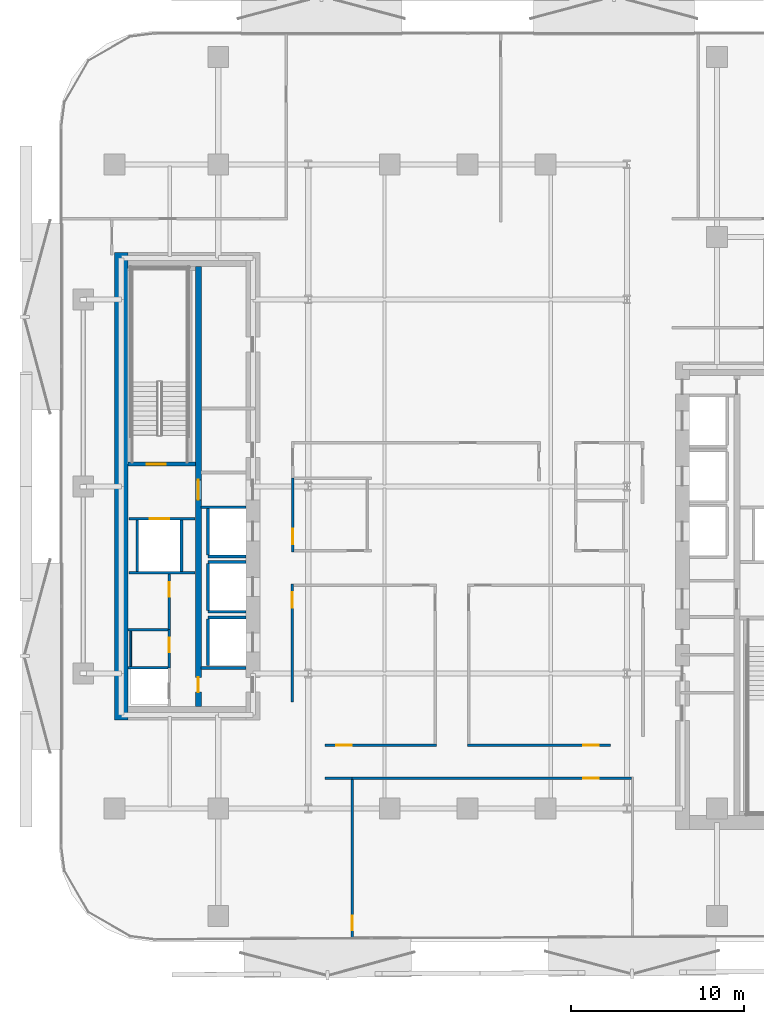
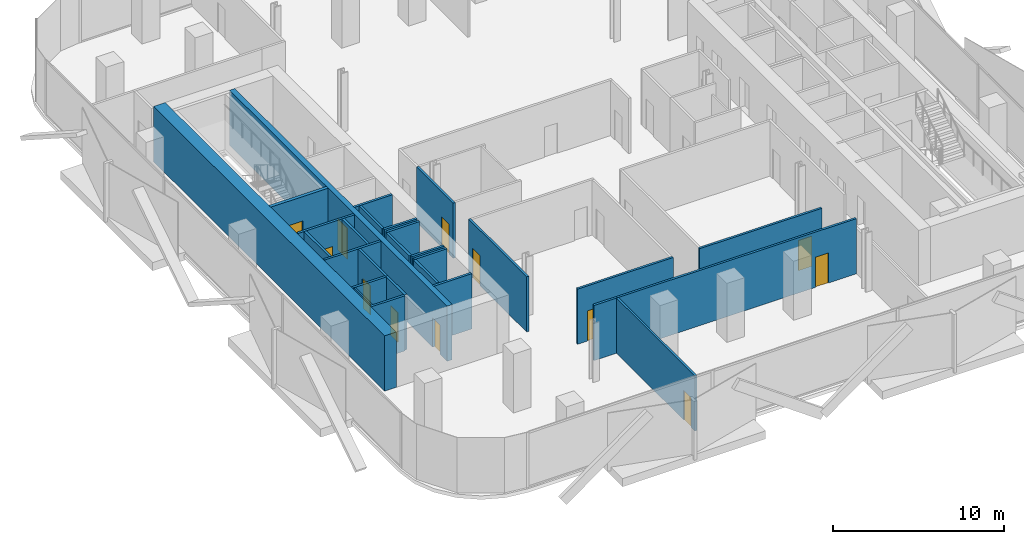
# One storey, part 3 of 15: 28 walls, 12 doors, 12 openings.
"""IFC4 building model written with IfcOpenShell, lengths in metres."""

from ifc_helpers import new_model, si_unit, direction, frame, frame_2d, origin, place, context, subcontext, project, spatial, rectangle, extrude, material, layer, layer_set, type_object, element, fill, save


model = new_model("IFC4")

# Units and contexts
model_context = context("Model", 3, precision=1e-05, world=origin(), true_north=direction((0.0, 1.0)))
body_context = subcontext(model_context, "Body", "Model", "MODEL_VIEW")
ifc_project = project(units=[si_unit("LENGTHUNIT", "METRE"), si_unit("AREAUNIT", "SQUARE_METRE"), si_unit("VOLUMEUNIT", "CUBIC_METRE"), si_unit("PLANEANGLEUNIT", "RADIAN"), si_unit("MASSUNIT", "GRAM", prefix="KILO")], contexts=[model_context])

# Site, building, storey
site_placement = place(None, origin())
site = spatial("IfcSite", under=ifc_project, at=site_placement, CompositionType="ELEMENT")
building_placement = place(site_placement, origin())
building = spatial("IfcBuilding", under=site, at=building_placement, Name="Khairoan Windgate Tower", CompositionType="ELEMENT")
storey_placement = place(building_placement, frame((0.0, 0.0, 131.0)))
storey = spatial("IfcBuildingStorey", under=building, at=storey_placement, Name="L30", CompositionType="ELEMENT", Elevation=131.0)

# Walls
ifc_material_1 = material(Name="Moisture-Resistant Gypsum Partition", Category="gypsum")
ifc_layer_1 = layer(ifc_material_1, 0.10009765625, Name="Moisture-Resistant Gypsum Partition")
ifc_layer_set_1 = layer_set([ifc_layer_1], Name="Moisture-Resistant Gypsum Partition")
wall_type_1 = type_object("IfcWallType", Name="Bathroom Wet-Area Partition Wall", PredefinedType="PARTITIONING", material=ifc_layer_set_1)
wall_1_placement = place(storey_placement, frame((-19.449951171875, -10.389892578125, 0.0), z_axis=(0.0, 0.0, 1.0), x_axis=(0.0, 1.0, 0.0)))
element("IfcWall", 1, at=wall_1_placement, inside=storey, type_object=wall_type_1, Name="L30 Wet Room Side Wall 050", PredefinedType="PARTITIONING", context=body_context, shape_type="SweptSolid", body=[
    extrude(rectangle(XDim=2.039794921875, YDim=0.10009765625, at=frame_2d((1.02001953125, 0.0))), origin(), (0.0, 0.0, 1.0), 3.93994140625),
])
ifc_material_2 = material(Name="Concrete C40/50", Category="concrete")
ifc_layer_2 = layer(ifc_material_2, 0.159912109375, Name="Concrete C40/50")
ifc_layer_set_2 = layer_set([ifc_layer_2], Name="Concrete C40/50")
wall_type_2 = type_object("IfcWallType", Name="Core and Hoistway Enclosure Wall", PredefinedType="STANDARD", material=ifc_layer_set_2)
wall_2_placement = place(storey_placement, frame((-14.989990234375, -4.0400390625, 0.0), z_axis=(0.0, 0.0, 1.0), x_axis=(1.0, 0.0, 0.0)))
element("IfcWall", 2, at=wall_2_placement, inside=storey, type_object=wall_type_2, Name="L30 Lift PL4 Hoistway Divider S", PredefinedType="STANDARD", context=body_context, shape_type="SweptSolid", body=[
    extrude(rectangle(XDim=2.18994140625, YDim=0.159912109375, at=frame_2d((1.094970703125, 0.0))), origin(), (0.0, 0.0, 1.0), 3.93994140625),
])
wall_3_placement = place(storey_placement, frame((-14.989990234375, -3.949951171875, 0.0), z_axis=(0.0, 0.0, 1.0), x_axis=(0.0, 1.0, 0.0)))
element("IfcWall", 3, at=wall_3_placement, inside=storey, type_object=wall_type_2, Name="L30 Lift PL4 Hoistway Back Wall", PredefinedType="STANDARD", context=body_context, shape_type="SweptSolid", body=[
    extrude(rectangle(XDim=2.699951171875, YDim=0.159912109375, at=frame_2d((1.35009765625, 0.0))), origin(), (0.0, 0.0, 1.0), 3.93994140625),
])
for number, where, z_axis, x_axis, name in (
    (4, (-14.989990234375, -7.239990234375, 0.0), (0.0, 0.0, 1.0), (1.0, 0.0, 0.0), "L30 Lift PL5 Hoistway Divider S"),
    (5, (-14.989990234375, -4.360107421875, 0.0), (0.0, 0.0, 1.0), (1.0, 0.0, 0.0), "L30 Lift PL5 Hoistway Divider N"),
):
    element("IfcWall", number, at=place(storey_placement, frame(where, z_axis=z_axis, x_axis=x_axis)), inside=storey, type_object=wall_type_2, Name=name, PredefinedType="STANDARD", context=body_context, shape_type="SweptSolid", body=[
        extrude(rectangle(XDim=2.18994140625, YDim=0.159912109375, at=frame_2d((1.094970703125, 0.0))), origin(), (0.0, 0.0, 1.0), 3.93994140625),
    ])
wall_4_placement = place(storey_placement, frame((-14.989990234375, -7.14990234375, 0.0), z_axis=(0.0, 0.0, 1.0), x_axis=(0.0, 1.0, 0.0)))
element("IfcWall", 6, at=wall_4_placement, inside=storey, type_object=wall_type_2, Name="L30 Lift PL5 Hoistway Back Wall", PredefinedType="STANDARD", context=body_context, shape_type="SweptSolid", body=[
    extrude(rectangle(XDim=2.699951171875, YDim=0.159912109375, at=frame_2d((1.35009765625, 0.0))), origin(), (0.0, 0.0, 1.0), 3.93994140625),
])
wall_5_placement = place(storey_placement, frame((-14.989990234375, -7.56005859375, 0.0), z_axis=(0.0, 0.0, 1.0), x_axis=(1.0, 0.0, 0.0)))
element("IfcWall", 7, at=wall_5_placement, inside=storey, type_object=wall_type_2, Name="L30 Lift PL6 Hoistway Divider N", PredefinedType="STANDARD", context=body_context, shape_type="SweptSolid", body=[
    extrude(rectangle(XDim=2.18994140625, YDim=0.159912109375, at=frame_2d((1.094970703125, 0.0))), origin(), (0.0, 0.0, 1.0), 3.93994140625),
])
wall_6_placement = place(storey_placement, frame((-14.989990234375, -10.35009765625, 0.0), z_axis=(0.0, 0.0, 1.0), x_axis=(0.0, 1.0, 0.0)))
element("IfcWall", 8, at=wall_6_placement, inside=storey, type_object=wall_type_2, Name="L30 Lift PL6 Hoistway Back Wall", PredefinedType="STANDARD", context=body_context, shape_type="SweptSolid", body=[
    extrude(rectangle(XDim=2.7001953125, YDim=0.159912109375, at=frame_2d((1.35009765625, 0.0))), origin(), (0.0, 0.0, 1.0), 3.93994140625),
])

# Wall, opening, door
wall_7_placement = place(storey_placement, frame((-19.550048828125, -1.860107421875, 0.0), z_axis=(0.0, 0.0, 1.0), x_axis=(1.0, 0.0, 0.0)))
wall_7 = element("IfcWall", 9, at=wall_7_placement, inside=storey, type_object=wall_type_2, Name="L30 Core Shaft Wall SW-FL2-L30", PredefinedType="STANDARD", context=body_context, shape_type="SweptSolid", body=[
    extrude(rectangle(XDim=3.800048828125, YDim=0.159912109375, at=frame_2d((1.89990234375, 0.0))), origin(), (0.0, 0.0, 1.0), 3.93994140625),
])
opening_1_placement = place(wall_7_placement, frame((1.179931640625, 0.0, 0.0)))
opening_1 = element("IfcOpeningElement", 10, at=opening_1_placement, cuts=wall_7, Name="Opening LD-FL", PredefinedType="OPENING", context=body_context, shape_type="SweptSolid", body=[
    extrude(rectangle(XDim=1.14990234375, YDim=2.199951171875, at=frame_2d((0.574951171875, 1.10009765625))), frame((0.0, 0.08984375, 0.0), z_axis=(0.0, -1.0, 0.0), x_axis=(1.0, 0.0, 0.0)), (0.0, 0.0, 1.0), 0.179931640625),
])
ifc_material_3 = material(Name="Steel S355", Category="steel")
door_type_1 = type_object("IfcDoorType", Name="Firefighting Lift Sliding Landing Door LD-FL 1150x2200", OperationType="DOUBLE_DOOR_SLIDING", PredefinedType="DOOR", material=ifc_material_3)
door_1_placement = place(opening_1_placement, origin())
door_1 = element("IfcDoor", 11, at=door_1_placement, inside=storey, type_object=door_type_1, Name="L30 Firefighting Lift FL2 Landing Door", OperationType="DOUBLE_DOOR_SLIDING", OverallHeight=2.199951171875, OverallWidth=1.14990234375, PredefinedType="DOOR", context=body_context, shape_type="SweptSolid", body=[
    extrude(rectangle(XDim=1.14990234375, YDim=2.199951171875, at=frame_2d((0.574951171875, 1.10009765625))), frame((0.0, 0.02490234375, 0.0), z_axis=(0.0, -1.0, 0.0), x_axis=(1.0, 0.0, 0.0)), (0.0, 0.0, 1.0), 0.050048828125),
])
fill(opening_1, door_1)

# Walls
wall_8_placement = place(storey_placement, frame((-19.550048828125, -4.97998046875, 0.0), z_axis=(0.0, 0.0, 1.0), x_axis=(1.0, 0.0, 0.0)))
element("IfcWall", 12, at=wall_8_placement, inside=storey, type_object=wall_type_2, Name="L30 Core Shaft Wall SW-FL2B-L30", PredefinedType="STANDARD", context=body_context, shape_type="SweptSolid", body=[
    extrude(rectangle(XDim=3.800048828125, YDim=0.159912109375, at=frame_2d((1.89990234375, 0.0))), origin(), (0.0, 0.0, 1.0), 3.93994140625),
])
for number, where, z_axis, x_axis, name in (
    (13, (-19.080078125, -4.89990234375, 0.0), (0.0, 0.0, 1.0), (0.0, 1.0, 0.0), "L30 Core Shaft Wall SW-FL2W-L30"),
    (14, (-16.52001953125, -4.89990234375, 0.0), (0.0, 0.0, 1.0), (0.0, 1.0, 0.0), "L30 Core Shaft Wall SW-FL2E-L30"),
):
    element("IfcWall", number, at=place(storey_placement, frame(where, z_axis=z_axis, x_axis=x_axis)), inside=storey, type_object=wall_type_2, Name=name, PredefinedType="STANDARD", context=body_context, shape_type="SweptSolid", body=[
        extrude(rectangle(XDim=2.9599609375, YDim=0.159912109375, at=frame_2d((1.47998046875, 0.0))), origin(), (0.0, 0.0, 1.0), 3.93994140625),
    ])
for number, where, z_axis, x_axis, name in (
    (15, (-15.39990234375, -1.199951171875, 0.0), (0.0, 0.0, 1.0), (1.0, 0.0, 0.0), "L30 Core Shaft Wall SW-WV2-L30"),
    (16, (-15.39990234375, -10.47998046875, 0.0), (0.0, 0.0, 1.0), (1.0, 0.0, 0.0), "L30 Core Shaft Wall SW-WSV-L30"),
):
    element("IfcWall", number, at=place(storey_placement, frame(where, z_axis=z_axis, x_axis=x_axis)), inside=storey, type_object=wall_type_2, Name=name, PredefinedType="STANDARD", context=body_context, shape_type="SweptSolid", body=[
        extrude(rectangle(XDim=2.599853515625, YDim=0.159912109375, at=frame_2d((1.2998046875, 0.0))), origin(), (0.0, 0.0, 1.0), 3.93994140625),
    ])

# Wall, opening, door
ifc_material_4 = material(Name="Acoustic Fire-Rated Gypsum Partition", Category="gypsum")
ifc_layer_3 = layer(ifc_material_4, 0.139892578125, Name="Acoustic Fire-Rated Gypsum Partition")
ifc_layer_set_3 = layer_set([ifc_layer_3], Name="Acoustic Fire-Rated Gypsum Partition")
wall_type_3 = type_object("IfcWallType", Name="Inter-Tenancy Compartment Wall", PredefinedType="PARTITIONING", material=ifc_layer_set_3)
wall_9_placement = place(storey_placement, frame((-6.6640625, -26.09912109375, 0.0), z_axis=(0.0, 0.0, 1.0), x_axis=(0.0, 1.0, 0.0)))
wall_9 = element("IfcWall", 17, at=wall_9_placement, inside=storey, type_object=wall_type_3, Name="L30 Interior Partition 046", PredefinedType="PARTITIONING", context=body_context, shape_type="SweptSolid", body=[
    extrude(rectangle(XDim=9.1640625, YDim=0.139892578125, at=frame_2d((4.58203125, 0.0))), origin(), (0.0, 0.0, 1.0), 3.93994140625),
])
opening_2_placement = place(wall_9_placement, frame((0.4599609375, 0.0, 0.0)))
opening_2 = element("IfcOpeningElement", 18, at=opening_2_placement, cuts=wall_9, Name="Opening FD-SRV", PredefinedType="OPENING", context=body_context, shape_type="SweptSolid", body=[
    extrude(rectangle(XDim=0.85009765625, YDim=2.10009765625, at=frame_2d((0.425048828125, 1.050048828125))), frame((0.0, 0.079833984375, 0.0), z_axis=(0.0, -1.0, 0.0), x_axis=(1.0, 0.0, 0.0)), (0.0, 0.0, 1.0), 0.159912109375),
])
ifc_material_5 = material(Name="Steel S355", Category="steel")
door_type_2 = type_object("IfcDoorType", Name="Core Service and Riser Fire Door FD-SRV 850x2100", OperationType="NOTDEFINED", PredefinedType="DOOR", material=ifc_material_5)
door_2_placement = place(opening_2_placement, origin())
door_2 = element("IfcDoor", 19, at=door_2_placement, inside=storey, type_object=door_type_2, Name="L30 L30-46-L30-47 Door", OperationType="SINGLE_SWING_RIGHT", OverallHeight=2.10009765625, OverallWidth=0.85009765625, PredefinedType="DOOR", context=body_context, shape_type="SweptSolid", body=[
    extrude(rectangle(XDim=0.85009765625, YDim=2.10009765625, at=frame_2d((0.425048828125, 1.050048828125))), frame((0.0, 0.02490234375, 0.0), z_axis=(0.0, -1.0, 0.0), x_axis=(1.0, 0.0, 0.0)), (0.0, 0.0, 1.0), 0.050048828125),
])
fill(opening_2, door_2)

ifc_material_6 = material(Name="Concrete C40/50", Category="concrete")
ifc_layer_4 = layer(ifc_material_6, 0.159912109375, Name="Concrete C40/50")
ifc_layer_set_4 = layer_set([ifc_layer_4], Name="Concrete C40/50")
wall_type_4 = type_object("IfcWallType", Name="Plant and Refuge Compartment Wall", PredefinedType="PARTITIONING", material=ifc_layer_set_4)
wall_10_placement = place(storey_placement, frame((-17.22998046875, -10.469970703125, 0.0), z_axis=(0.0, 0.0, 1.0), x_axis=(0.0, 1.0, 0.0)))
wall_10 = element("IfcWall", 20, at=wall_10_placement, inside=storey, type_object=wall_type_4, Name="L30 Interior Partition 002", PredefinedType="PARTITIONING", context=body_context, shape_type="SweptSolid", body=[
    extrude(rectangle(XDim=2.199951171875, YDim=0.159912109375, at=frame_2d((1.10009765625, 0.0))), origin(), (0.0, 0.0, 1.0), 3.93994140625),
])
opening_3_placement = place(wall_10_placement, frame((0.889892578125, 0.0, 0.0)))
opening_3 = element("IfcOpeningElement", 21, at=opening_3_placement, cuts=wall_10, Name="Opening FD-SRV", PredefinedType="OPENING", context=body_context, shape_type="SweptSolid", body=[
    extrude(rectangle(XDim=0.85009765625, YDim=2.10009765625, at=frame_2d((0.425048828125, 1.050048828125))), frame((0.0, 0.08984375, 0.0), z_axis=(0.0, -1.0, 0.0), x_axis=(1.0, 0.0, 0.0)), (0.0, 0.0, 1.0), 0.179931640625),
])
door_3_placement = place(opening_3_placement, origin())
door_3 = element("IfcDoor", 22, at=door_3_placement, inside=storey, type_object=door_type_2, Name="L30 L30-04-L30-06 Door", OperationType="SINGLE_SWING_LEFT", OverallHeight=2.10009765625, OverallWidth=0.85009765625, PredefinedType="DOOR", context=body_context, shape_type="SweptSolid", body=[
    extrude(rectangle(XDim=0.85009765625, YDim=2.10009765625, at=frame_2d((0.425048828125, 1.050048828125))), frame((0.0, 0.02490234375, 0.0), z_axis=(0.0, -1.0, 0.0), x_axis=(1.0, 0.0, 0.0)), (0.0, 0.0, 1.0), 0.050048828125),
])
fill(opening_3, door_3)

wall_11_placement = place(storey_placement, frame((-17.22998046875, -8.27001953125, 0.0), z_axis=(0.0, 0.0, 1.0), x_axis=(0.0, 1.0, 0.0)))
wall_11 = element("IfcWall", 23, at=wall_11_placement, inside=storey, type_object=wall_type_4, Name="L30 Interior Partition 003", PredefinedType="PARTITIONING", context=body_context, shape_type="SweptSolid", body=[
    extrude(rectangle(XDim=3.2099609375, YDim=0.159912109375, at=frame_2d((1.60498046875, 0.0))), origin(), (0.0, 0.0, 1.0), 3.93994140625),
])
opening_4_placement = place(wall_11_placement, frame((1.89990234375, 0.0, 0.0)))
opening_4 = element("IfcOpeningElement", 24, at=opening_4_placement, cuts=wall_11, Name="Opening FD-SRV", PredefinedType="OPENING", context=body_context, shape_type="SweptSolid", body=[
    extrude(rectangle(XDim=0.85009765625, YDim=2.10009765625, at=frame_2d((0.425048828125, 1.050048828125))), frame((0.0, 0.08984375, 0.0), z_axis=(0.0, -1.0, 0.0), x_axis=(1.0, 0.0, 0.0)), (0.0, 0.0, 1.0), 0.179931640625),
])
door_4_placement = place(opening_4_placement, origin())
door_4 = element("IfcDoor", 25, at=door_4_placement, inside=storey, type_object=door_type_2, Name="L30 L30-04-L30-07 Door", OperationType="SINGLE_SWING_RIGHT", OverallHeight=2.10009765625, OverallWidth=0.85009765625, PredefinedType="DOOR", context=body_context, shape_type="SweptSolid", body=[
    extrude(rectangle(XDim=0.85009765625, YDim=2.10009765625, at=frame_2d((0.425048828125, 1.050048828125))), frame((0.0, 0.02490234375, 0.0), z_axis=(0.0, -1.0, 0.0), x_axis=(1.0, 0.0, 0.0)), (0.0, 0.0, 1.0), 0.050048828125),
])
fill(opening_4, door_4)

# Walls
for number, where, z_axis, x_axis, name in (
    (26, (-19.60009765625, -10.469970703125, 0.0), (0.0, 0.0, 1.0), (1.0, 0.0, 0.0), "L30 Interior Partition 004"),
    (27, (-19.60009765625, -8.27001953125, 0.0), (0.0, 0.0, 1.0), (1.0, 0.0, 0.0), "L30 Interior Partition 005"),
):
    element("IfcWall", number, at=place(storey_placement, frame(where, z_axis=z_axis, x_axis=x_axis)), inside=storey, type_object=wall_type_4, Name=name, PredefinedType="PARTITIONING", context=body_context, shape_type="SweptSolid", body=[
        extrude(rectangle(XDim=2.2900390625, YDim=0.159912109375, at=frame_2d((1.14501953125, 0.0))), origin(), (0.0, 0.0, 1.0), 3.93994140625),
    ])

# Wall, opening, door
ifc_material_7 = material(Name="Acoustic Fire-Rated Gypsum Partition", Category="gypsum")
ifc_layer_5 = layer(ifc_material_7, 0.14990234375, Name="Acoustic Fire-Rated Gypsum Partition")
ifc_layer_set_5 = layer_set([ifc_layer_5], Name="Acoustic Fire-Rated Gypsum Partition")
wall_type_5 = type_object("IfcWallType", Name="Rated Corridor Partition Wall", PredefinedType="PARTITIONING", material=ifc_layer_set_5)
wall_12_placement = place(storey_placement, frame((-10.10009765625, -3.794921875, 0.0), z_axis=(0.0, 0.0, 1.0), x_axis=(0.0, 1.0, 0.0)))
wall_12 = element("IfcWall", 28, at=wall_12_placement, inside=storey, type_object=wall_type_5, Name="L30 Interior Partition 015", PredefinedType="PARTITIONING", context=body_context, shape_type="SweptSolid", body=[
    extrude(rectangle(XDim=4.27490234375, YDim=0.14990234375, at=frame_2d((2.137451171875, 0.0))), origin(), (0.0, 0.0, 1.0), 3.93994140625),
])
opening_5_placement = place(wall_12_placement, frame((0.4599609375, 0.0, 0.0)))
opening_5 = element("IfcOpeningElement", 29, at=opening_5_placement, cuts=wall_12, Name="Opening FD-ENT", PredefinedType="OPENING", context=body_context, shape_type="SweptSolid", body=[
    extrude(rectangle(XDim=0.89990234375, YDim=2.14990234375, at=frame_2d((0.449951171875, 1.074951171875))), frame((0.0, 0.0849609375, 0.0), z_axis=(0.0, -1.0, 0.0), x_axis=(1.0, 0.0, 0.0)), (0.0, 0.0, 1.0), 0.169921875),
])
ifc_material_8 = material(Name="Timber Fire-Rated Core", Category="wood")
door_type_3 = type_object("IfcDoorType", Name="Unit and Office Fire Entrance Door FD-ENT 900x2150", OperationType="NOTDEFINED", PredefinedType="DOOR", material=ifc_material_8)
door_5_placement = place(opening_5_placement, origin())
door_5 = element("IfcDoor", 30, at=door_5_placement, inside=storey, type_object=door_type_3, Name="L30 L30-30-L30-51 Door", OperationType="SINGLE_SWING_LEFT", OverallHeight=2.14990234375, OverallWidth=0.89990234375, PredefinedType="DOOR", context=body_context, shape_type="SweptSolid", body=[
    extrude(rectangle(XDim=0.89990234375, YDim=2.14990234375, at=frame_2d((0.449951171875, 1.074951171875))), frame((0.0, 0.02490234375, 0.0), z_axis=(0.0, -1.0, 0.0), x_axis=(1.0, 0.0, 0.0)), (0.0, 0.0, 1.0), 0.050048828125),
])
fill(opening_5, door_5)

wall_13_placement = place(storey_placement, frame((-10.125, -12.43994140625, 0.0), z_axis=(0.0, 0.0, 1.0), x_axis=(0.0, 1.0, 0.0)))
wall_13 = element("IfcWall", 31, at=wall_13_placement, inside=storey, type_object=wall_type_5, Name="L30 Interior Partition 017", PredefinedType="PARTITIONING", context=body_context, shape_type="SweptSolid", body=[
    extrude(rectangle(XDim=6.800048828125, YDim=0.14990234375, at=frame_2d((3.39990234375, 0.0))), origin(), (0.0, 0.0, 1.0), 3.93994140625),
])
opening_6_placement = place(wall_13_placement, frame((5.43994140625, 0.0, 0.0)))
opening_6 = element("IfcOpeningElement", 32, at=opening_6_placement, cuts=wall_13, Name="Opening FD-ENT", PredefinedType="OPENING", context=body_context, shape_type="SweptSolid", body=[
    extrude(rectangle(XDim=0.89990234375, YDim=2.14990234375, at=frame_2d((0.449951171875, 1.074951171875))), frame((0.0, 0.0849609375, 0.0), z_axis=(0.0, -1.0, 0.0), x_axis=(1.0, 0.0, 0.0)), (0.0, 0.0, 1.0), 0.169921875),
])
door_6_placement = place(opening_6_placement, origin())
door_6 = element("IfcDoor", 33, at=door_6_placement, inside=storey, type_object=door_type_3, Name="L30 L30-30-L30-53 Door", OperationType="SINGLE_SWING_LEFT", OverallHeight=2.14990234375, OverallWidth=0.89990234375, PredefinedType="DOOR", context=body_context, shape_type="SweptSolid", body=[
    extrude(rectangle(XDim=0.89990234375, YDim=2.14990234375, at=frame_2d((0.449951171875, 1.074951171875))), frame((0.0, 0.02490234375, 0.0), z_axis=(0.0, -1.0, 0.0), x_axis=(1.0, 0.0, 0.0)), (0.0, 0.0, 1.0), 0.050048828125),
])
fill(opening_6, door_6)

# Wall
wall_14_placement = place(storey_placement, frame((-8.239990234375, -16.860107421875, 0.0), z_axis=(0.0, 0.0, 1.0), x_axis=(1.0, 0.0, 0.0)))
element("IfcWall", 34, at=wall_14_placement, inside=storey, type_object=wall_type_5, Name="L30 Interior Partition 033", PredefinedType="PARTITIONING", context=body_context, shape_type="SweptSolid", body=[
    extrude(rectangle(XDim=1.575927734375, YDim=0.14990234375, at=frame_2d((0.7880859375, 0.0))), origin(), (0.0, 0.0, 1.0), 3.93994140625),
])

# Wall, opening, door
wall_15_placement = place(storey_placement, frame((-6.6640625, -16.860107421875, 0.0), z_axis=(0.0, 0.0, 1.0), x_axis=(1.0, 0.0, 0.0)))
wall_15 = element("IfcWall", 35, at=wall_15_placement, inside=storey, type_object=wall_type_5, Name="L30 Interior Partition 034", PredefinedType="PARTITIONING", context=body_context, shape_type="SweptSolid", body=[
    extrude(rectangle(XDim=16.114013671875, YDim=0.14990234375, at=frame_2d((8.05712890625, 0.0))), origin(), (0.0, 0.0, 1.0), 3.93994140625),
])
opening_7_placement = place(wall_15_placement, frame((13.3427734375, 0.0, 0.0)))
opening_7 = element("IfcOpeningElement", 36, at=opening_7_placement, cuts=wall_15, Name="Opening FD-ENT", PredefinedType="OPENING", context=body_context, shape_type="SweptSolid", body=[
    extrude(rectangle(XDim=0.89990234375, YDim=2.14990234375, at=frame_2d((0.449951171875, 1.074951171875))), frame((0.0, 0.0849609375, 0.0), z_axis=(0.0, -1.0, 0.0), x_axis=(1.0, 0.0, 0.0)), (0.0, 0.0, 1.0), 0.169921875),
])
door_7_placement = place(opening_7_placement, origin())
door_7 = element("IfcDoor", 37, at=door_7_placement, inside=storey, type_object=door_type_3, Name="L30 L30-37-L30-47 Door", OperationType="SINGLE_SWING_RIGHT", OverallHeight=2.14990234375, OverallWidth=0.89990234375, PredefinedType="DOOR", context=body_context, shape_type="SweptSolid", body=[
    extrude(rectangle(XDim=0.89990234375, YDim=2.14990234375, at=frame_2d((0.449951171875, 1.074951171875))), frame((0.0, 0.02490234375, 0.0), z_axis=(0.0, -1.0, 0.0), x_axis=(1.0, 0.0, 0.0)), (0.0, 0.0, 1.0), 0.050048828125),
])
fill(opening_7, door_7)

wall_16_placement = place(storey_placement, frame((-8.239990234375, -14.93994140625, 0.0), z_axis=(0.0, 0.0, 1.0), x_axis=(1.0, 0.0, 0.0)))
wall_16 = element("IfcWall", 38, at=wall_16_placement, inside=storey, type_object=wall_type_5, Name="L30 Interior Partition 035", PredefinedType="PARTITIONING", context=body_context, shape_type="SweptSolid", body=[
    extrude(rectangle(XDim=6.455078125, YDim=0.14990234375, at=frame_2d((3.2275390625, 0.0))), origin(), (0.0, 0.0, 1.0), 3.93994140625),
])
opening_8_placement = place(wall_16_placement, frame((0.66162109375, 0.0, 0.0)))
opening_8 = element("IfcOpeningElement", 39, at=opening_8_placement, cuts=wall_16, Name="Opening FD-ENT", PredefinedType="OPENING", context=body_context, shape_type="SweptSolid", body=[
    extrude(rectangle(XDim=0.89990234375, YDim=2.14990234375, at=frame_2d((0.449951171875, 1.074951171875))), frame((0.0, 0.0849609375, 0.0), z_axis=(0.0, -1.0, 0.0), x_axis=(1.0, 0.0, 0.0)), (0.0, 0.0, 1.0), 0.169921875),
])
door_8_placement = place(opening_8_placement, origin())
door_8 = element("IfcDoor", 40, at=door_8_placement, inside=storey, type_object=door_type_3, Name="L30 L30-37-L30-53 Door", OperationType="SINGLE_SWING_LEFT", OverallHeight=2.14990234375, OverallWidth=0.89990234375, PredefinedType="DOOR", context=body_context, shape_type="SweptSolid", body=[
    extrude(rectangle(XDim=0.89990234375, YDim=2.14990234375, at=frame_2d((0.449951171875, 1.074951171875))), frame((0.0, 0.02490234375, 0.0), z_axis=(0.0, -1.0, 0.0), x_axis=(1.0, 0.0, 0.0)), (0.0, 0.0, 1.0), 0.050048828125),
])
fill(opening_8, door_8)

wall_17_placement = place(storey_placement, frame((-0.014892578125, -14.93994140625, 0.0), z_axis=(0.0, 0.0, 1.0), x_axis=(1.0, 0.0, 0.0)))
wall_17 = element("IfcWall", 41, at=wall_17_placement, inside=storey, type_object=wall_type_5, Name="L30 Interior Partition 036", PredefinedType="PARTITIONING", context=body_context, shape_type="SweptSolid", body=[
    extrude(rectangle(XDim=8.2548828125, YDim=0.14990234375, at=frame_2d((4.12744140625, 0.0))), origin(), (0.0, 0.0, 1.0), 3.93994140625),
])
opening_9_placement = place(wall_17_placement, frame((6.69384765625, 0.0, 0.0)))
opening_9 = element("IfcOpeningElement", 42, at=opening_9_placement, cuts=wall_17, Name="Opening FD-ENT", PredefinedType="OPENING", context=body_context, shape_type="SweptSolid", body=[
    extrude(rectangle(XDim=0.89990234375, YDim=2.14990234375, at=frame_2d((0.449951171875, 1.074951171875))), frame((0.0, 0.0849609375, 0.0), z_axis=(0.0, -1.0, 0.0), x_axis=(1.0, 0.0, 0.0)), (0.0, 0.0, 1.0), 0.169921875),
])
door_9_placement = place(opening_9_placement, origin())
door_9 = element("IfcDoor", 43, at=door_9_placement, inside=storey, type_object=door_type_3, Name="L30 L30-37-L30-54 Door", OperationType="SINGLE_SWING_RIGHT", OverallHeight=2.14990234375, OverallWidth=0.89990234375, PredefinedType="DOOR", context=body_context, shape_type="SweptSolid", body=[
    extrude(rectangle(XDim=0.89990234375, YDim=2.14990234375, at=frame_2d((0.449951171875, 1.074951171875))), frame((0.0, 0.02490234375, 0.0), z_axis=(0.0, -1.0, 0.0), x_axis=(1.0, 0.0, 0.0)), (0.0, 0.0, 1.0), 0.050048828125),
])
fill(opening_9, door_9)

# Wall
ifc_material_9 = material(Name="Concrete C70/85", Category="concrete")
ifc_layer_6 = layer(ifc_material_9, 0.800048828125, Name="Concrete C70/85")
ifc_layer_set_6 = layer_set([ifc_layer_6], Name="Concrete C70/85")
wall_type_6 = type_object("IfcWallType", Name="Shear Wall CW-W1 800mm", PredefinedType="SHEAR", material=ifc_layer_set_6)
wall_18_placement = place(storey_placement, frame((-20.0, -13.5, 0.0), z_axis=(0.0, 0.0, 1.0), x_axis=(0.0, 1.0, 0.0)))
element("IfcWall", 44, at=wall_18_placement, inside=storey, type_object=wall_type_6, Name="W Core West Shear Wall L30", PredefinedType="SHEAR", context=body_context, shape_type="SweptSolid", body=[
    extrude(rectangle(XDim=27.0, YDim=0.800048828125, at=frame_2d((13.5, 0.0))), origin(), (0.0, 0.0, 1.0), 3.93994140625),
])

# Wall, openings, doors
ifc_material_10 = material(Name="Concrete C60/75", Category="concrete")
ifc_layer_7 = layer(ifc_material_10, 0.35009765625, Name="Concrete C60/75")
ifc_layer_set_7 = layer_set([ifc_layer_7], Name="Concrete C60/75")
wall_type_7 = type_object("IfcWallType", Name="Shear Wall SW-1 350mm", PredefinedType="SHEAR", material=ifc_layer_set_7)
wall_19_placement = place(storey_placement, frame((-15.550048828125, -12.699951171875, 0.0), z_axis=(0.0, 0.0, 1.0), x_axis=(0.0, 1.0, 0.0)))
wall_19 = element("IfcWall", 45, at=wall_19_placement, inside=storey, type_object=wall_type_7, Name="W Core Spine Shear Wall L30", PredefinedType="SHEAR", context=body_context, shape_type="SweptSolid", body=[
    extrude(rectangle(XDim=25.39990234375, YDim=0.35009765625, at=frame_2d((12.699951171875, 0.0))), origin(), (0.0, 0.0, 1.0), 3.93994140625),
])
opening_10_placement = place(wall_19_placement, frame((11.925048828125, 0.0, 0.0)))
opening_10 = element("IfcOpeningElement", 46, at=opening_10_placement, cuts=wall_19, Name="Opening FD-FFL", PredefinedType="OPENING", context=body_context, shape_type="SweptSolid", body=[
    extrude(rectangle(XDim=1.14990234375, YDim=2.199951171875, at=frame_2d((0.574951171875, 1.10009765625))), frame((0.0, 0.18505859375, 0.0), z_axis=(0.0, -1.0, 0.0), x_axis=(1.0, 0.0, 0.0)), (0.0, 0.0, 1.0), 0.3701171875),
])
opening_11_placement = place(wall_19_placement, frame((0.824951171875, 0.0, 0.0)))
opening_11 = element("IfcOpeningElement", 47, at=opening_11_placement, cuts=wall_19, Name="Opening FD-SRV", PredefinedType="OPENING", context=body_context, shape_type="SweptSolid", body=[
    extrude(rectangle(XDim=0.85009765625, YDim=2.10009765625, at=frame_2d((0.425048828125, 1.050048828125))), frame((0.0, 0.18505859375, 0.0), z_axis=(0.0, -1.0, 0.0), x_axis=(1.0, 0.0, 0.0)), (0.0, 0.0, 1.0), 0.3701171875),
])
door_10_placement = place(opening_11_placement, origin())
door_10 = element("IfcDoor", 48, at=door_10_placement, inside=storey, type_object=door_type_2, Name="L30 West Core Service Passage Inner Door", OperationType="SINGLE_SWING_LEFT", OverallHeight=2.10009765625, OverallWidth=0.85009765625, PredefinedType="DOOR", context=body_context, shape_type="SweptSolid", body=[
    extrude(rectangle(XDim=0.85009765625, YDim=2.10009765625, at=frame_2d((0.425048828125, 1.050048828125))), frame((0.0, 0.02490234375, 0.0), z_axis=(0.0, -1.0, 0.0), x_axis=(1.0, 0.0, 0.0)), (0.0, 0.0, 1.0), 0.050048828125),
])
fill(opening_11, door_10)
ifc_material_11 = material(Name="Steel S355", Category="steel")
door_type_4 = type_object("IfcDoorType", Name="Firefighting Lobby Fire Door FD-FFL 1150x2200", OperationType="NOTDEFINED", PredefinedType="DOOR", material=ifc_material_11)
door_11_placement = place(opening_10_placement, origin())
door_11 = element("IfcDoor", 49, at=door_11_placement, inside=storey, type_object=door_type_4, Name="L30 West Firefighting Lobby Fire Door", OperationType="SINGLE_SWING_LEFT", OverallHeight=2.199951171875, OverallWidth=1.14990234375, PredefinedType="DOOR", context=body_context, shape_type="SweptSolid", body=[
    extrude(rectangle(XDim=1.14990234375, YDim=2.199951171875, at=frame_2d((0.574951171875, 1.10009765625))), frame((0.0, 0.02490234375, 0.0), z_axis=(0.0, -1.0, 0.0), x_axis=(1.0, 0.0, 0.0)), (0.0, 0.0, 1.0), 0.050048828125),
])
fill(opening_10, door_11)

# Wall, opening, door
ifc_material_12 = material(Name="Concrete C50/60", Category="concrete")
ifc_layer_8 = layer(ifc_material_12, 0.219970703125, Name="Concrete C50/60")
ifc_layer_set_8 = layer_set([ifc_layer_8], Name="Concrete C50/60")
wall_type_8 = type_object("IfcWallType", Name="Shear Wall SW-ST 220mm", PredefinedType="SHEAR", material=ifc_layer_set_8)
wall_20_placement = place(storey_placement, frame((-19.6201171875, 1.2900390625, 0.0), z_axis=(0.0, 0.0, 1.0), x_axis=(1.0, 0.0, 0.0)))
wall_20 = element("IfcWall", 50, at=wall_20_placement, inside=storey, type_object=wall_type_8, Name="L30 Stair ST2 South Bearing Wall", PredefinedType="SHEAR", context=body_context, shape_type="SweptSolid", body=[
    extrude(rectangle(XDim=3.9150390625, YDim=0.219970703125, at=frame_2d((1.95751953125, 0.0))), origin(), (0.0, 0.0, 1.0), 3.93994140625),
])
opening_12_placement = place(wall_20_placement, frame((1.080078125, 0.0, 0.0)))
opening_12 = element("IfcOpeningElement", 51, at=opening_12_placement, cuts=wall_20, Name="Opening FD-ST", PredefinedType="OPENING", context=body_context, shape_type="SweptSolid", body=[
    extrude(rectangle(XDim=1.10009765625, YDim=2.199951171875, at=frame_2d((0.550048828125, 1.10009765625))), frame((0.0, 0.119873046875, 0.0), z_axis=(0.0, -1.0, 0.0), x_axis=(1.0, 0.0, 0.0)), (0.0, 0.0, 1.0), 0.239990234375),
])
ifc_material_13 = material(Name="Steel S355", Category="steel")
door_type_5 = type_object("IfcDoorType", Name="Smokeproof Stair Fire Door FD-ST 1100x2200", OperationType="NOTDEFINED", PredefinedType="DOOR", material=ifc_material_13)
door_12_placement = place(opening_12_placement, origin())
door_12 = element("IfcDoor", 52, at=door_12_placement, inside=storey, type_object=door_type_5, Name="L30 Stair ST2 Fire Door", OperationType="SINGLE_SWING_RIGHT", OverallHeight=2.199951171875, OverallWidth=1.10009765625, PredefinedType="DOOR", context=body_context, shape_type="SweptSolid", body=[
    extrude(rectangle(XDim=1.10009765625, YDim=2.199951171875, at=frame_2d((0.550048828125, 1.10009765625))), frame((0.0, 0.02490234375, 0.0), z_axis=(0.0, -1.0, 0.0), x_axis=(1.0, 0.0, 0.0)), (0.0, 0.0, 1.0), 0.050048828125),
])
fill(opening_12, door_12)

save(model, "model.ifc")
